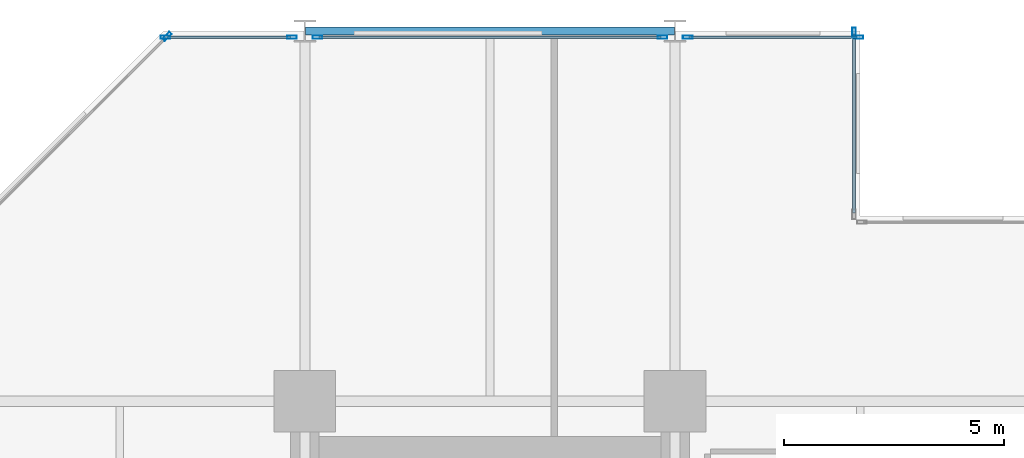
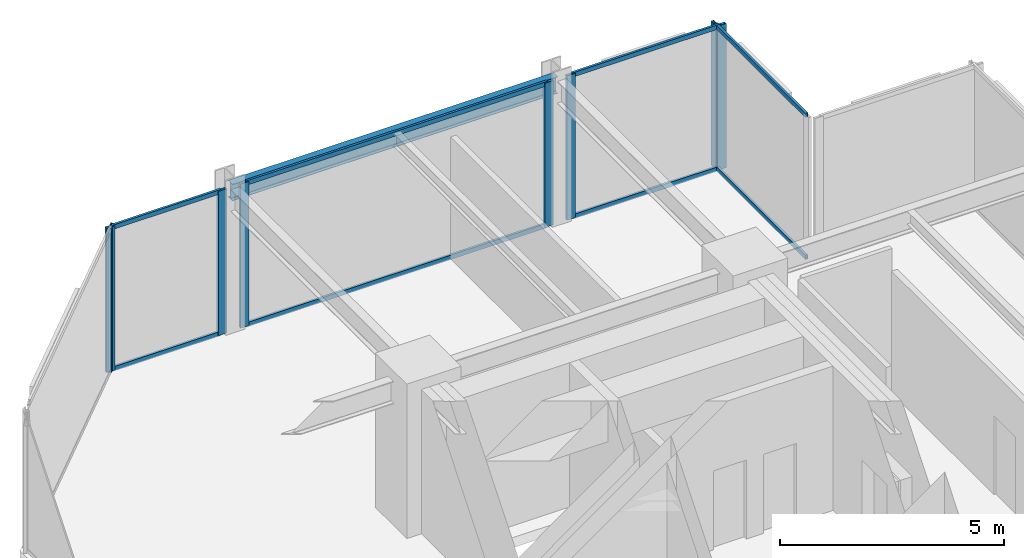
# One storey, part 17 of 25: 16 members, 1 beam, 5 elements without a shape of their own.
"""IFC4 building model written with IfcOpenShell, lengths in metres."""

import ifcopenshell
import ifcopenshell.guid

model = None  # the IFC model being written
_history = None  # IfcOwnerHistory: only IFC2X3 demands one
_inside = {}  # id of a spatial element -> (the spatial element, [elements in it])
_under = {}  # id of a project, library or spatial element -> (it, [spatial elements below it])
_declared = {}  # id of a project -> (the project, [libraries it declares])
_typed = {}  # id of a type object -> (the type object, [elements of that type])
_made_of = {}  # id of a material, layer set ... -> (it, [elements and type objects made of it])


def new_model(schema):
    """Start an empty IFC model of exactly this schema.

    Asked for "IFC4X3", IfcOpenShell would pick the latest addendum, in which some entities
    have other attributes; the version numbers below select the first issue.
    IFC2X3 requires an IfcOwnerHistory on every rooted entity: one is made here for all.
    """
    global model, _history
    if schema == "IFC4X3":
        model = ifcopenshell.file(schema_version=(4, 3, 0, 0))
    else:
        model = ifcopenshell.file(schema=schema)
    _inside.clear()
    _under.clear()
    _declared.clear()
    _typed.clear()
    _made_of.clear()
    _history = None
    if model.schema == "IFC2X3":
        org = make("IfcOrganization", Name="unknown")
        user = make(
            "IfcPersonAndOrganization",
            ThePerson=make("IfcPerson", FamilyName="unknown"),
            TheOrganization=org,
        )
        app = make(
            "IfcApplication",
            ApplicationDeveloper=org,
            Version="unknown",
            ApplicationFullName="unknown",
            ApplicationIdentifier="unknown",
        )
        _history = make(
            "IfcOwnerHistory",
            OwningUser=user,
            OwningApplication=app,
            ChangeAction="ADDED",
            CreationDate=0,
        )
    return model


def make(cls, **values):
    """One entity of the class cls with the attributes given. An attribute that is None is left unset."""
    return model.create_entity(
        cls, **{name: value for name, value in values.items() if value is not None}
    )


def rooted(cls, **values):
    """An entity with a GlobalId (a new one), such as an element, a storey or a relation."""
    return make(cls, GlobalId=ifcopenshell.guid.new(), OwnerHistory=_history, **values)


def si_unit(unit_type, name, prefix=None):
    """IfcSIUnit, for example si_unit("LENGTHUNIT", "METRE", prefix="MILLI")."""
    return make("IfcSIUnit", UnitType=unit_type, Prefix=prefix, Name=name)


def assignment(units):
    """IfcUnitAssignment: the units of a project."""
    return None if units is None else make("IfcUnitAssignment", Units=units)


def point(xyz):
    """IfcCartesianPoint."""
    return None if xyz is None else make("IfcCartesianPoint", Coordinates=xyz)


def direction(xyz):
    """IfcDirection."""
    return None if xyz is None else make("IfcDirection", DirectionRatios=xyz)


def frame(location, z_axis=None, x_axis=None):
    """IfcAxis2Placement3D, a coordinate frame: its origin and axes. An axis left out is left unset."""
    return make(
        "IfcAxis2Placement3D",
        Location=point(location),
        Axis=direction(z_axis),
        RefDirection=direction(x_axis),
    )


def frame_2d(location, x_axis=None):
    """IfcAxis2Placement2D, a coordinate frame in the plane: its origin and x axis."""
    return make(
        "IfcAxis2Placement2D", Location=point(location), RefDirection=direction(x_axis)
    )


def origin():
    """The frame at (0, 0, 0) with its axes left unset."""
    return frame((0.0, 0.0, 0.0))


def origin_2d():
    """The frame at (0, 0) in the plane with its x axis left unset."""
    return frame_2d((0.0, 0.0))


def place(relative_to, where):
    """IfcLocalPlacement: puts the frame where relative to a parent placement (None: the world)."""
    return make(
        "IfcLocalPlacement", PlacementRelTo=relative_to, RelativePlacement=where
    )


def context(
    kind, dimensions, precision=None, world=None, true_north=None, identifier=None
):
    """IfcGeometricRepresentationContext, for example the 3D "Model" context."""
    return make(
        "IfcGeometricRepresentationContext",
        ContextIdentifier=identifier,
        ContextType=kind,
        CoordinateSpaceDimension=dimensions,
        Precision=precision,
        WorldCoordinateSystem=world,
        TrueNorth=true_north,
    )


def subcontext(parent, identifier, kind, view, scale=None):
    """IfcGeometricRepresentationSubContext, for example "Body" below "Model"."""
    return make(
        "IfcGeometricRepresentationSubContext",
        ContextIdentifier=identifier,
        ContextType=kind,
        ParentContext=parent,
        TargetScale=scale,
        TargetView=view,
    )


def project(units=None, contexts=None):
    """IfcProject with its units and contexts."""
    return rooted(
        "IfcProject",
        Name="project",
        RepresentationContexts=contexts,
        UnitsInContext=assignment(units),
    )


def spatial(cls, under=None, at=None, **own):
    """A site, building, storey or space (cls), placed at a placement, below another one or the project."""
    s = rooted(cls, ObjectPlacement=at, **own)
    if under is not None:
        _under.setdefault(under.id(), (under, []))[1].append(s)
    return s


def profile(cls, at=None, kind="AREA", **sizes):
    """A parametric profile (cls). Its sizes go by their IFC names, for example OverallWidth=200.0."""
    return make(cls, ProfileType=kind, Position=at, **sizes)


def hollow_rectangle(**sizes):
    """IfcRectangleHollowProfileDef."""
    return profile("IfcRectangleHollowProfileDef", **sizes)


def i_section(**sizes):
    """IfcIShapeProfileDef."""
    return profile("IfcIShapeProfileDef", **sizes)


def extrude(swept, where, along, depth):
    """IfcExtrudedAreaSolid: the profile swept, set in the frame where, extruded along a direction by depth."""
    return make(
        "IfcExtrudedAreaSolid",
        SweptArea=swept,
        Position=where,
        ExtrudedDirection=direction(along),
        Depth=depth,
    )


def shape(context_of_items, identifier, shape_type, items):
    """IfcShapeRepresentation: the items that make up one representation, for example the "Body"."""
    return make(
        "IfcShapeRepresentation",
        ContextOfItems=context_of_items,
        RepresentationIdentifier=identifier,
        RepresentationType=shape_type,
        Items=items,
    )


def material(Name=None, Category=None):
    """IfcMaterial."""
    return make("IfcMaterial", Name=Name, Category=Category)


def layer(
    of_material, thickness, ventilated=None, Name=None, Category=None, Priority=None
):
    """IfcMaterialLayer: one layer of a wall or slab, of a material (None: an air gap)."""
    return make(
        "IfcMaterialLayer",
        Material=of_material,
        LayerThickness=thickness,
        IsVentilated=ventilated,
        Name=Name,
        Category=Category,
        Priority=Priority,
    )


def layer_set(layers, Name=None):
    """IfcMaterialLayerSet."""
    return make("IfcMaterialLayerSet", MaterialLayers=layers, LayerSetName=Name)


def material_profile(
    of_material, cross_section, Name=None, Category=None, Priority=None
):
    """IfcMaterialProfile: a cross section and its material."""
    return make(
        "IfcMaterialProfile",
        Name=Name,
        Material=of_material,
        Profile=cross_section,
        Priority=Priority,
        Category=Category,
    )


def profile_set(profiles, Name=None, composite=None):
    """IfcMaterialProfileSet."""
    return make(
        "IfcMaterialProfileSet",
        Name=Name,
        MaterialProfiles=profiles,
        CompositeProfile=composite,
    )


def made_of(thing, what):
    """Note that an element or type object is made of a material, layer set ...; save() writes the relation."""
    if what is not None:
        _made_of.setdefault(what.id(), (what, []))[1].append(thing)
    return thing


def type_object(cls, material=None, **own):
    """A type object (cls), such as IfcWallType, which elements share."""
    return made_of(rooted(cls, **own), material)


def element(
    cls,
    number,
    at=None,
    inside=None,
    cuts=None,
    type_object=None,
    material=None,
    context=None,
    identifier="Body",
    shape_type=None,
    held_by="IfcProductDefinitionShape",
    body=None,
    shapes=None,
    **own,
):
    """One element of the class cls, such as IfcWall. Its Tag is "e" and its number.

    at: its placement. inside: the storey or other place that contains it. cuts: it is an
    opening in that element (IfcRelVoidsElement). A single representation is given by context,
    identifier, shape_type and body (its items); several are given by shapes. held_by: the class
    of the entity that holds the representations. save() writes the other relations.
    """
    e = rooted(cls, Tag="e%d" % number, ObjectPlacement=at, **own)
    if body is not None:
        shapes = [shape(context, identifier, shape_type, body)]
    if shapes is not None:
        e.Representation = make(held_by, Representations=shapes)
    if inside is not None:
        _inside.setdefault(inside.id(), (inside, []))[1].append(e)
    if cuts is not None:
        rooted(
            "IfcRelVoidsElement", RelatingBuildingElement=cuts, RelatedOpeningElement=e
        )
    if type_object is not None:
        _typed.setdefault(type_object.id(), (type_object, []))[1].append(e)
    return made_of(e, material)


def aggregate(whole, parts):
    """IfcRelAggregates: a whole, such as a stair, and the parts it consists of."""
    return rooted("IfcRelAggregates", RelatingObject=whole, RelatedObjects=parts)


def save(model, path):
    """Write the relations noted so far, then the file.

    IfcRelAggregates (storeys below a building ...), IfcRelContainedInSpatialStructure (elements
    in a storey), IfcRelDefinesByType, IfcRelAssociatesMaterial and IfcRelDeclares: one each for
    every whole, place, type object, material and project.
    """
    for whole, parts in _under.values():
        aggregate(whole, parts)
    for where, things in _inside.values():
        rooted(
            "IfcRelContainedInSpatialStructure",
            RelatedElements=things,
            RelatingStructure=where,
        )
    for kind, things in _typed.values():
        rooted("IfcRelDefinesByType", RelatedObjects=things, RelatingType=kind)
    for what, things in _made_of.values():
        rooted("IfcRelAssociatesMaterial", RelatedObjects=things, RelatingMaterial=what)
    for by, libraries in _declared.values():
        rooted("IfcRelDeclares", RelatingContext=by, RelatedDefinitions=libraries)
    model.write(path)


model = new_model("IFC4")

# Units and contexts
model_context = context("Model", 3, precision=1e-05, world=origin(), true_north=direction((0.0, 1.0)))
body_context = subcontext(model_context, "Body", "Model", "MODEL_VIEW")
ifc_project = project(units=[si_unit("LENGTHUNIT", "METRE"), si_unit("AREAUNIT", "SQUARE_METRE"), si_unit("VOLUMEUNIT", "CUBIC_METRE"), si_unit("PLANEANGLEUNIT", "RADIAN"), si_unit("MASSUNIT", "GRAM", prefix="KILO")], contexts=[model_context])

# Site, building, storey
site_placement = place(None, origin())
site = spatial("IfcSite", under=ifc_project, at=site_placement, CompositionType="ELEMENT")
building_placement = place(site_placement, origin())
building = spatial("IfcBuilding", under=site, at=building_placement, Name="Nerrivon Quay Data Exchange", CompositionType="ELEMENT")
storey_placement = place(building_placement, frame((0.0, 0.0, 58.39990234375)))
storey = spatial("IfcBuildingStorey", under=building, at=storey_placement, Name="L13", CompositionType="ELEMENT", Elevation=58.39990234375)

# Beam
ifc_material_1 = material(Name="Steel Grade 350", Category="steel")
ifc_material_profile_1 = material_profile(ifc_material_1, i_section(OverallWidth=0.18994140625, OverallDepth=0.4541015625, WebThickness=0.008544921875, FlangeThickness=0.0126953125, FilletRadius=0.011474609375, at=origin_2d()), Name="460UB67.1")
ifc_profile_set_1 = profile_set([ifc_material_profile_1], Name="Steel Grade 350")
beam_type = type_object("IfcBeamType", Name="BM-SP1-460UB67", PredefinedType="SPANDREL", material=ifc_profile_set_1)
beam_placement = place(storey_placement, frame((8.4140625, 50.39990234375, 3.697998046875), z_axis=(1.0, 0.0, 0.0), x_axis=(0.0, 1.0, 0.0)))
element("IfcBeam", 1, at=beam_placement, inside=storey, type_object=beam_type, Name="L13 EW Girder Y=50.4 (8.4..16.8)", PredefinedType="SPANDREL", context=body_context, shape_type="SweptSolid", body=[
    extrude(i_section(OverallWidth=0.18994140625, OverallDepth=0.4541015625, WebThickness=0.008544921875, FlangeThickness=0.0126953125, FilletRadius=0.011474609375, at=origin_2d()), origin(), (0.0, 0.0, 1.0), 8.371826171875),
])

# Curtain wall, member
ifc_material_2 = material(Name="Anodised aluminium 6063-T6", Category="aluminium")
ifc_layer = layer(ifc_material_2, 0.219970703125)
ifc_layer_set = layer_set([ifc_layer], Name="Anodised aluminium 6063-T6")
curtain_wall_type = type_object("IfcCurtainWallType", Name="CW-SYS-01", PredefinedType="NOTDEFINED", material=ifc_layer_set)
curtain_wall_1_placement = place(storey_placement, origin())
curtain_wall_1 = element("IfcCurtainWall", 2, at=curtain_wall_1_placement, inside=storey, type_object=curtain_wall_type, Name="L13 Unitised Curtain Wall 19", PredefinedType="NOTDEFINED")
ifc_material_profile_2 = material_profile(ifc_material_2, hollow_rectangle(XDim=0.074951171875, YDim=0.219970703125, WallThickness=0.00390625, at=origin_2d()), Name="ALU-MULL-220x75")
ifc_profile_set_2 = profile_set([ifc_material_profile_2], Name="Anodised aluminium 6063-T6")
member_type_1 = type_object("IfcMemberType", Name="CWM-220x75", PredefinedType="MULLION", material=ifc_profile_set_2)
member_1_placement = place(storey_placement, frame((5.2724609375, 50.2744140625, 0.0), z_axis=(0.0, 0.0, 1.0), x_axis=(-0.707106781187, 0.707106781187, 0.0)))
member_1 = element("IfcMember", 3, at=member_1_placement, type_object=member_type_1, Name="CW01 mullion 2", PredefinedType="MULLION", context=body_context, shape_type="SweptSolid", body=[
    extrude(hollow_rectangle(XDim=0.074951171875, YDim=0.219970703125, WallThickness=0.00390625, at=origin_2d()), origin(), (0.0, 0.0, 1.0), 3.925048828125),
])
aggregate(curtain_wall_1, [member_1])

# Curtain wall, members
curtain_wall_2_placement = place(storey_placement, origin())
curtain_wall_2 = element("IfcCurtainWall", 4, at=curtain_wall_2_placement, inside=storey, type_object=curtain_wall_type, Name="L13 Unitised Curtain Wall 20", PredefinedType="NOTDEFINED")
member_2_placement = place(storey_placement, frame((5.237548828125, 50.260009765625, 0.0), z_axis=(0.0, 0.0, 1.0), x_axis=(0.0, 1.0, 0.0)))
member_2 = element("IfcMember", 5, at=member_2_placement, type_object=member_type_1, Name="CW01 mullion 1", PredefinedType="MULLION", context=body_context, shape_type="SweptSolid", body=[
    extrude(hollow_rectangle(XDim=0.074951171875, YDim=0.219970703125, WallThickness=0.00390625, at=origin_2d()), origin(), (0.0, 0.0, 1.0), 3.925048828125),
])
member_3_placement = place(storey_placement, frame((8.112548828125, 50.260009765625, 0.0), z_axis=(0.0, 0.0, 1.0), x_axis=(0.0, 1.0, 0.0)))
member_3 = element("IfcMember", 6, at=member_3_placement, type_object=member_type_1, Name="CW01 mullion 2", PredefinedType="MULLION", context=body_context, shape_type="SweptSolid", body=[
    extrude(hollow_rectangle(XDim=0.074951171875, YDim=0.219970703125, WallThickness=0.00390625, at=origin_2d()), origin(), (0.0, 0.0, 1.0), 3.925048828125),
])

curtain_wall_3_placement = place(storey_placement, origin())
curtain_wall_3 = element("IfcCurtainWall", 7, at=curtain_wall_3_placement, inside=storey, type_object=curtain_wall_type, Name="L13 Unitised Curtain Wall 21", PredefinedType="NOTDEFINED")
member_4_placement = place(storey_placement, frame((8.6875, 50.260009765625, 0.0), z_axis=(0.0, 0.0, 1.0), x_axis=(0.0, 1.0, 0.0)))
member_4 = element("IfcMember", 8, at=member_4_placement, type_object=member_type_1, Name="CW01 mullion 1", PredefinedType="MULLION", context=body_context, shape_type="SweptSolid", body=[
    extrude(hollow_rectangle(XDim=0.074951171875, YDim=0.219970703125, WallThickness=0.00390625, at=origin_2d()), origin(), (0.0, 0.0, 1.0), 3.925048828125),
])
member_5_placement = place(storey_placement, frame((16.512451171875, 50.260009765625, 0.0), z_axis=(0.0, 0.0, 1.0), x_axis=(0.0, 1.0, 0.0)))
member_5 = element("IfcMember", 9, at=member_5_placement, type_object=member_type_1, Name="CW01 mullion 2", PredefinedType="MULLION", context=body_context, shape_type="SweptSolid", body=[
    extrude(hollow_rectangle(XDim=0.074951171875, YDim=0.219970703125, WallThickness=0.00390625, at=origin_2d()), origin(), (0.0, 0.0, 1.0), 3.925048828125),
])

curtain_wall_4_placement = place(storey_placement, origin())
curtain_wall_4 = element("IfcCurtainWall", 10, at=curtain_wall_4_placement, inside=storey, type_object=curtain_wall_type, Name="L13 Unitised Curtain Wall 22", PredefinedType="NOTDEFINED")
member_6_placement = place(storey_placement, frame((17.08740234375, 50.260009765625, 0.0), z_axis=(0.0, 0.0, 1.0), x_axis=(0.0, 1.0, 0.0)))
member_6 = element("IfcMember", 11, at=member_6_placement, type_object=member_type_1, Name="CW01 mullion 1", PredefinedType="MULLION", context=body_context, shape_type="SweptSolid", body=[
    extrude(hollow_rectangle(XDim=0.074951171875, YDim=0.219970703125, WallThickness=0.00390625, at=origin_2d()), origin(), (0.0, 0.0, 1.0), 3.925048828125),
])
member_7_placement = place(storey_placement, frame((20.96240234375, 50.260009765625, 0.0), z_axis=(0.0, 0.0, 1.0), x_axis=(0.0, 1.0, 0.0)))
member_7 = element("IfcMember", 12, at=member_7_placement, type_object=member_type_1, Name="CW01 mullion 2", PredefinedType="MULLION", context=body_context, shape_type="SweptSolid", body=[
    extrude(hollow_rectangle(XDim=0.074951171875, YDim=0.219970703125, WallThickness=0.00390625, at=origin_2d()), origin(), (0.0, 0.0, 1.0), 3.925048828125),
])

# Curtain wall, member
curtain_wall_5_placement = place(storey_placement, origin())
curtain_wall_5 = element("IfcCurtainWall", 13, at=curtain_wall_5_placement, inside=storey, type_object=curtain_wall_type, Name="L13 Unitised Curtain Wall 23", PredefinedType="NOTDEFINED")
member_8_placement = place(storey_placement, frame((20.860107421875, 50.362548828125, 0.0), z_axis=(0.0, 0.0, 1.0), x_axis=(1.0, 0.0, 0.0)))
member_8 = element("IfcMember", 14, at=member_8_placement, type_object=member_type_1, Name="CW01 mullion 1", PredefinedType="MULLION", context=body_context, shape_type="SweptSolid", body=[
    extrude(hollow_rectangle(XDim=0.074951171875, YDim=0.219970703125, WallThickness=0.00390625, at=origin_2d()), origin(), (0.0, 0.0, 1.0), 3.925048828125),
])

# Member
ifc_material_profile_3 = material_profile(ifc_material_2, hollow_rectangle(XDim=0.06005859375, YDim=0.1201171875, WallThickness=0.003173828125, at=origin_2d()), Name="ALU-TRAN-120x60")
ifc_profile_set_3 = profile_set([ifc_material_profile_3], Name="Anodised aluminium 6063-T6")
member_type_2 = type_object("IfcMemberType", Name="CWT-120x60", PredefinedType="USERDEFINED", material=ifc_profile_set_3)
member_9_placement = place(storey_placement, frame((5.27490234375, 50.260009765625, 0.03271484375), z_axis=(1.0, 0.0, 0.0), x_axis=(0.0, 1.0, 0.0)))
member_9 = element("IfcMember", 15, at=member_9_placement, type_object=member_type_2, Name="CW01 transom 1.1", ObjectType="TRANSOM", PredefinedType="USERDEFINED", context=body_context, shape_type="SweptSolid", body=[
    extrude(hollow_rectangle(XDim=0.06005859375, YDim=0.1201171875, WallThickness=0.003173828125, at=origin_2d()), origin(), (0.0, 0.0, 1.0), 2.800048828125),
])

member_10_placement = place(storey_placement, frame((5.27490234375, 50.260009765625, 3.892578125), z_axis=(1.0, 0.0, 0.0), x_axis=(0.0, 1.0, 0.0)))
member_10 = element("IfcMember", 16, at=member_10_placement, type_object=member_type_2, Name="CW01 transom 1.2", ObjectType="TRANSOM", PredefinedType="USERDEFINED", context=body_context, shape_type="SweptSolid", body=[
    extrude(hollow_rectangle(XDim=0.06005859375, YDim=0.1201171875, WallThickness=0.003173828125, at=origin_2d()), origin(), (0.0, 0.0, 1.0), 2.800048828125),
])

aggregate(curtain_wall_2, [member_2, member_3, member_9, member_10])

member_11_placement = place(storey_placement, frame((8.72509765625, 50.260009765625, 0.03271484375), z_axis=(1.0, 0.0, 0.0), x_axis=(0.0, 1.0, 0.0)))
member_11 = element("IfcMember", 17, at=member_11_placement, type_object=member_type_2, Name="CW01 transom 1.1", ObjectType="TRANSOM", PredefinedType="USERDEFINED", context=body_context, shape_type="SweptSolid", body=[
    extrude(hollow_rectangle(XDim=0.06005859375, YDim=0.1201171875, WallThickness=0.003173828125, at=origin_2d()), origin(), (0.0, 0.0, 1.0), 7.75),
])

member_12_placement = place(storey_placement, frame((8.72509765625, 50.260009765625, 3.892578125), z_axis=(1.0, 0.0, 0.0), x_axis=(0.0, 1.0, 0.0)))
member_12 = element("IfcMember", 18, at=member_12_placement, type_object=member_type_2, Name="CW01 transom 1.2", ObjectType="TRANSOM", PredefinedType="USERDEFINED", context=body_context, shape_type="SweptSolid", body=[
    extrude(hollow_rectangle(XDim=0.06005859375, YDim=0.1201171875, WallThickness=0.003173828125, at=origin_2d()), origin(), (0.0, 0.0, 1.0), 7.75),
])

aggregate(curtain_wall_3, [member_4, member_5, member_11, member_12])

member_13_placement = place(storey_placement, frame((17.125, 50.260009765625, 0.03271484375), z_axis=(1.0, 0.0, 0.0), x_axis=(0.0, 1.0, 0.0)))
member_13 = element("IfcMember", 19, at=member_13_placement, type_object=member_type_2, Name="CW01 transom 1.1", ObjectType="TRANSOM", PredefinedType="USERDEFINED", context=body_context, shape_type="SweptSolid", body=[
    extrude(hollow_rectangle(XDim=0.06005859375, YDim=0.1201171875, WallThickness=0.003173828125, at=origin_2d()), origin(), (0.0, 0.0, 1.0), 3.800048828125),
])

member_14_placement = place(storey_placement, frame((17.125, 50.260009765625, 3.892578125), z_axis=(1.0, 0.0, 0.0), x_axis=(0.0, 1.0, 0.0)))
member_14 = element("IfcMember", 20, at=member_14_placement, type_object=member_type_2, Name="CW01 transom 1.2", ObjectType="TRANSOM", PredefinedType="USERDEFINED", context=body_context, shape_type="SweptSolid", body=[
    extrude(hollow_rectangle(XDim=0.06005859375, YDim=0.1201171875, WallThickness=0.003173828125, at=origin_2d()), origin(), (0.0, 0.0, 1.0), 3.800048828125),
])

aggregate(curtain_wall_4, [member_6, member_7, member_13, member_14])

member_15_placement = place(storey_placement, frame((20.860107421875, 50.324951171875, 0.03271484375), z_axis=(0.0, -1.0, 0.0), x_axis=(1.0, 0.0, 0.0)))
member_15 = element("IfcMember", 21, at=member_15_placement, type_object=member_type_2, Name="CW01 transom 1.1", ObjectType="TRANSOM", PredefinedType="USERDEFINED", context=body_context, shape_type="SweptSolid", body=[
    extrude(hollow_rectangle(XDim=0.06005859375, YDim=0.1201171875, WallThickness=0.003173828125, at=origin_2d()), origin(), (0.0, 0.0, 1.0), 4.050048828125),
])

member_16_placement = place(storey_placement, frame((20.860107421875, 50.324951171875, 3.892578125), z_axis=(0.0, -1.0, 0.0), x_axis=(1.0, 0.0, 0.0)))
member_16 = element("IfcMember", 22, at=member_16_placement, type_object=member_type_2, Name="CW01 transom 1.2", ObjectType="TRANSOM", PredefinedType="USERDEFINED", context=body_context, shape_type="SweptSolid", body=[
    extrude(hollow_rectangle(XDim=0.06005859375, YDim=0.1201171875, WallThickness=0.003173828125, at=origin_2d()), origin(), (0.0, 0.0, 1.0), 4.050048828125),
])

aggregate(curtain_wall_5, [member_8, member_15, member_16])

save(model, "model.ifc")
